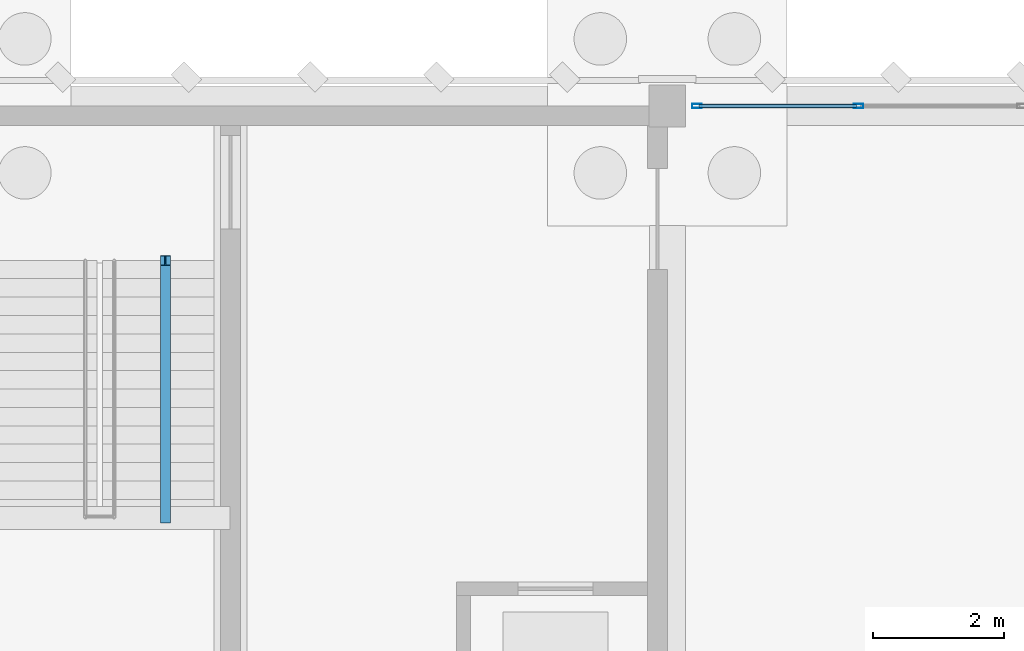
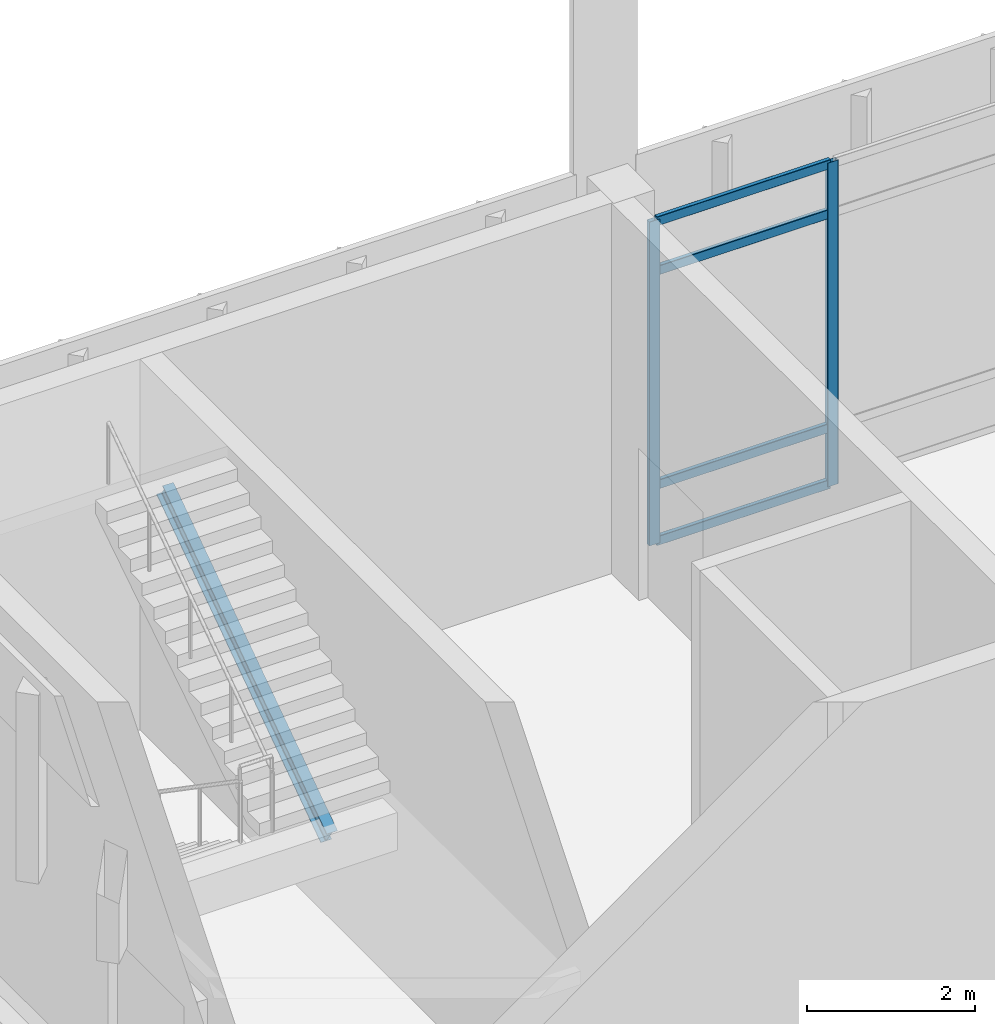
# One storey, part 43 of 109: 6 members, 1 beam, 1 element without a shape of its own.
"""IFC4 building model written with IfcOpenShell, lengths in metres."""

from ifc_helpers import new_model, si_unit, direction, frame, origin, origin_2d, place, context, subcontext, project, spatial, hollow_rectangle, i_section, extrude, material, material_profile, profile_set, type_object, element, aggregate, save


model = new_model("IFC4")

# Units and contexts
model_context = context("Model", 3, precision=1e-05, world=origin(), true_north=direction((0.0, 1.0)))
body_context = subcontext(model_context, "Body", "Model", "MODEL_VIEW")
ifc_project = project(units=[si_unit("LENGTHUNIT", "METRE"), si_unit("AREAUNIT", "SQUARE_METRE"), si_unit("VOLUMEUNIT", "CUBIC_METRE"), si_unit("PLANEANGLEUNIT", "RADIAN"), si_unit("MASSUNIT", "GRAM", prefix="KILO")], contexts=[model_context])

# Site, building, storey
site_placement = place(None, origin())
site = spatial("IfcSite", under=ifc_project, at=site_placement, CompositionType="ELEMENT")
building_placement = place(site_placement, origin())
building = spatial("IfcBuilding", under=site, at=building_placement, Name="Lusvemor Sports Hall", CompositionType="ELEMENT")
storey_placement = place(building_placement, origin())
storey = spatial("IfcBuildingStorey", under=building, at=storey_placement, Name="L00", CompositionType="ELEMENT", Elevation=0.0)

# Curtain wall, members
ifc_material_1 = material(Name="Thermally broken bronze-anodized aluminium", Category="aluminium")
curtain_wall_type = type_object("IfcCurtainWallType", Name="CW_WING_B", PredefinedType="NOTDEFINED", material=ifc_material_1)
curtain_wall_placement = place(storey_placement, origin())
curtain_wall = element("IfcCurtainWall", 1, at=curtain_wall_placement, inside=storey, type_object=curtain_wall_type, Name="Curtain Wall CW-L00-N-1-1", PredefinedType="NOTDEFINED")
ifc_material_2 = material(Name="Thermally broken bronze-anodized aluminium", Category="aluminium")
ifc_material_profile_1 = material_profile(ifc_material_2, hollow_rectangle(XDim=0.06494140625, YDim=0.14990234375, WallThickness=0.00390625, InnerFilletRadius=0.00390625, OuterFilletRadius=0.008056640625, at=origin_2d()), Name="CWMUL150x65x4")
ifc_profile_set_1 = profile_set([ifc_material_profile_1], Name="Thermally broken bronze-anodized aluminium")
member_type_1 = type_object("IfcMemberType", Name="CW_MUL_B", PredefinedType="MULLION", material=ifc_profile_set_1)
member_1_placement = place(storey_placement, frame((11.25244140625, 115.199951171875, 0.0), z_axis=(0.0, 0.0, 1.0), x_axis=(0.0, 1.0, 0.0)))
member_1 = element("IfcMember", 2, at=member_1_placement, type_object=member_type_1, Name="CW02 mullion 1", PredefinedType="MULLION", context=body_context, shape_type="SweptSolid", body=[
    extrude(hollow_rectangle(XDim=0.06494140625, YDim=0.14990234375, WallThickness=0.00390625, InnerFilletRadius=0.00390625, OuterFilletRadius=0.008056640625, at=origin_2d()), origin(), (0.0, 0.0, 1.0), 4.719970703125),
])
member_2_placement = place(storey_placement, frame((13.7099609375, 115.199951171875, 0.0), z_axis=(0.0, 0.0, 1.0), x_axis=(0.0, 1.0, 0.0)))
member_2 = element("IfcMember", 3, at=member_2_placement, type_object=member_type_1, Name="CW02 mullion 2", PredefinedType="MULLION", context=body_context, shape_type="SweptSolid", body=[
    extrude(hollow_rectangle(XDim=0.06494140625, YDim=0.14990234375, WallThickness=0.00390625, InnerFilletRadius=0.00390625, OuterFilletRadius=0.008056640625, at=origin_2d()), origin(), (0.0, 0.0, 1.0), 4.719970703125),
])
ifc_material_3 = material(Name="Thermally broken bronze-anodized aluminium", Category="aluminium")
ifc_material_profile_2 = material_profile(ifc_material_3, hollow_rectangle(XDim=0.06005859375, YDim=0.135009765625, WallThickness=0.00390625, InnerFilletRadius=0.00390625, OuterFilletRadius=0.008056640625, at=origin_2d()), Name="CWTRN135x60x4")
ifc_profile_set_2 = profile_set([ifc_material_profile_2], Name="Thermally broken bronze-anodized aluminium")
member_type_2 = type_object("IfcMemberType", Name="CW_TRN_B", PredefinedType="USERDEFINED", material=ifc_profile_set_2)
member_3_placement = place(storey_placement, frame((11.284912109375, 115.199951171875, 0.030029296875), z_axis=(1.0, 0.0, 0.0), x_axis=(0.0, 1.0, 0.0)))
member_3 = element("IfcMember", 4, at=member_3_placement, type_object=member_type_2, Name="CW02 transom 1.1", ObjectType="TRANSOM", PredefinedType="USERDEFINED", context=body_context, shape_type="SweptSolid", body=[
    extrude(hollow_rectangle(XDim=0.06005859375, YDim=0.135009765625, WallThickness=0.00390625, InnerFilletRadius=0.00390625, OuterFilletRadius=0.008056640625, at=origin_2d()), origin(), (0.0, 0.0, 1.0), 2.392578125),
])
member_4_placement = place(storey_placement, frame((11.284912109375, 115.199951171875, 0.85009765625), z_axis=(1.0, 0.0, 0.0), x_axis=(0.0, 1.0, 0.0)))
member_4 = element("IfcMember", 5, at=member_4_placement, type_object=member_type_2, Name="CW02 transom 1.2", ObjectType="TRANSOM", PredefinedType="USERDEFINED", context=body_context, shape_type="SweptSolid", body=[
    extrude(hollow_rectangle(XDim=0.06005859375, YDim=0.135009765625, WallThickness=0.00390625, InnerFilletRadius=0.00390625, OuterFilletRadius=0.008056640625, at=origin_2d()), origin(), (0.0, 0.0, 1.0), 2.392578125),
])
member_5_placement = place(storey_placement, frame((11.284912109375, 115.199951171875, 3.969970703125), z_axis=(1.0, 0.0, 0.0), x_axis=(0.0, 1.0, 0.0)))
member_5 = element("IfcMember", 6, at=member_5_placement, type_object=member_type_2, Name="CW02 transom 1.3", ObjectType="TRANSOM", PredefinedType="USERDEFINED", context=body_context, shape_type="SweptSolid", body=[
    extrude(hollow_rectangle(XDim=0.06005859375, YDim=0.135009765625, WallThickness=0.00390625, InnerFilletRadius=0.00390625, OuterFilletRadius=0.008056640625, at=origin_2d()), origin(), (0.0, 0.0, 1.0), 2.392578125),
])
member_6_placement = place(storey_placement, frame((11.284912109375, 115.199951171875, 4.68994140625), z_axis=(1.0, 0.0, 0.0), x_axis=(0.0, 1.0, 0.0)))
member_6 = element("IfcMember", 7, at=member_6_placement, type_object=member_type_2, Name="CW02 transom 1.4", ObjectType="TRANSOM", PredefinedType="USERDEFINED", context=body_context, shape_type="SweptSolid", body=[
    extrude(hollow_rectangle(XDim=0.06005859375, YDim=0.135009765625, WallThickness=0.00390625, InnerFilletRadius=0.00390625, OuterFilletRadius=0.008056640625, at=origin_2d()), origin(), (0.0, 0.0, 1.0), 2.392578125),
])
aggregate(curtain_wall, [member_1, member_2, member_3, member_4, member_5, member_6])

# Beam
ifc_material_4 = material(Name="Steel S355", Category="steel")
ifc_material_profile_3 = material_profile(ifc_material_4, i_section(OverallWidth=0.14794921875, OverallDepth=0.26611328125, WebThickness=0.007568359375, FlangeThickness=0.012939453125, FilletRadius=0.012939453125, at=origin_2d()), Name="W250x44.8")
ifc_profile_set_3 = profile_set([ifc_material_profile_3], Name="Steel S355")
beam_type = type_object("IfcBeamType", Name="JOIST_ST_250M", PredefinedType="JOIST", material=ifc_profile_set_3)
beam_placement = place(storey_placement, frame((3.159912109375, 108.929931640625, 2.35498046875), z_axis=(0.0, 0.823567234665, 0.567218661528), x_axis=(-1.0, 0.0, 0.0)))
element("IfcBeam", 8, at=beam_placement, inside=storey, type_object=beam_type, Name="Stair STR-C1-L00 Flight 2 Stringer Beam", PredefinedType="JOIST", context=body_context, shape_type="SweptSolid", body=[
    extrude(i_section(OverallWidth=0.14794921875, OverallDepth=0.26611328125, WebThickness=0.007568359375, FlangeThickness=0.012939453125, FilletRadius=0.012939453125, at=origin_2d()), origin(), (0.0, 0.0, 1.0), 4.760009765625),
])

save(model, "model.ifc")
